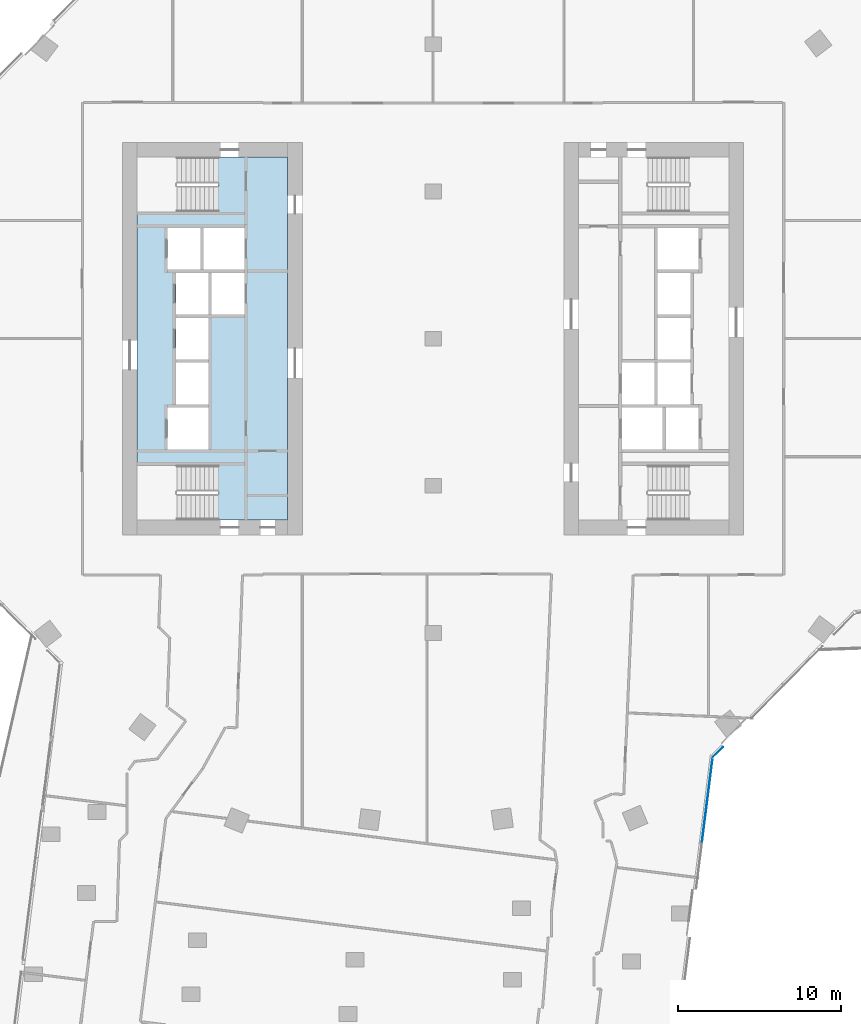
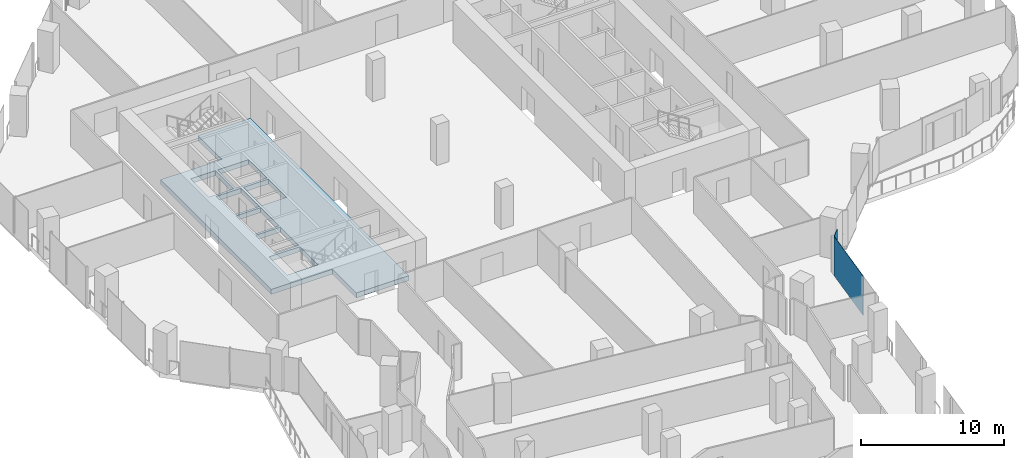
# One storey, part 15 of 29: 2 plates, 1 slab, 2 elements without a shape of their own.
"""IFC4 building model written with IfcOpenShell, lengths in metres."""

from ifc_helpers import new_model, si_unit, direction, frame, origin, origin_2d, place, context, subcontext, project, spatial, polyline, rectangle, outline, extrude, material, layer, layer_set, type_object, element, aggregate, save


model = new_model("IFC4")

# Units and contexts
model_context = context("Model", 3, precision=1e-05, world=origin(), true_north=direction((0.0, 1.0)))
body_context = subcontext(model_context, "Body", "Model", "MODEL_VIEW")
ifc_project = project(units=[si_unit("LENGTHUNIT", "METRE"), si_unit("AREAUNIT", "SQUARE_METRE"), si_unit("VOLUMEUNIT", "CUBIC_METRE"), si_unit("PLANEANGLEUNIT", "RADIAN"), si_unit("MASSUNIT", "GRAM", prefix="KILO")], contexts=[model_context])

# Site, building, storey
site_placement = place(None, origin())
site = spatial("IfcSite", under=ifc_project, at=site_placement, CompositionType="ELEMENT")
building_placement = place(site_placement, origin())
building = spatial("IfcBuilding", under=site, at=building_placement, Name="Orlundy Tower", CompositionType="ELEMENT")
storey_placement = place(building_placement, frame((0.0, 0.0, 188.60009765625)))
storey = spatial("IfcBuildingStorey", under=building, at=storey_placement, Name="L49", CompositionType="ELEMENT", Elevation=188.60009765625)

# Curtain wall, plate
ifc_material_1 = material(Name="Aluminium bronze anodised", Category="aluminium")
curtain_wall_type = type_object("IfcCurtainWallType", Name="CW1 wall", PredefinedType="NOTDEFINED", material=ifc_material_1)
curtain_wall_1_placement = place(storey_placement, origin())
curtain_wall_1 = element("IfcCurtainWall", 1, at=curtain_wall_1_placement, inside=storey, type_object=curtain_wall_type, Name="CW1 run 017", PredefinedType="NOTDEFINED")
ifc_material_2 = material(Name="Tinted glass", Category="glass")
ifc_layer_1 = layer(ifc_material_2, 0.031982421875)
ifc_layer_set_1 = layer_set([ifc_layer_1], Name="CW1 glass panel 32")
plate_type = type_object("IfcPlateType", Name="CW1 glass panel 32", PredefinedType="CURTAIN_PANEL", material=ifc_layer_set_1)
plate_1_placement = place(storey_placement, frame((17.412841796875, -25.2919921875, -0.300048828125), z_axis=(0.0, 0.0, 1.0), x_axis=(-0.702970467781, -0.711219038994, 0.0)))
plate_1 = element("IfcPlate", 2, at=plate_1_placement, type_object=plate_type, Name="CW1 panel", PredefinedType="CURTAIN_PANEL", context=body_context, shape_type="SweptSolid", body=[
    extrude(rectangle(XDim=0.882080078125, YDim=0.031982421875, at=origin_2d()), origin(), (0.0, 0.0, 1.0), 3.3798828125),
])
aggregate(curtain_wall_1, [plate_1])

curtain_wall_2_placement = place(storey_placement, origin())
curtain_wall_2 = element("IfcCurtainWall", 3, at=curtain_wall_2_placement, inside=storey, type_object=curtain_wall_type, Name="CW1 run 018", PredefinedType="NOTDEFINED")
plate_2_placement = place(storey_placement, frame((16.773681640625, -28.22314453125, -0.300048828125), z_axis=(0.0, 0.0, 1.0), x_axis=(-0.124742379758, -0.992189164773, 0.0)))
plate_2 = element("IfcPlate", 4, at=plate_2_placement, type_object=plate_type, Name="CW1 panel", PredefinedType="CURTAIN_PANEL", context=body_context, shape_type="SweptSolid", body=[
    extrude(rectangle(XDim=5.27587890625, YDim=0.031982421875, at=origin_2d()), origin(), (0.0, 0.0, 1.0), 3.3798828125),
])
aggregate(curtain_wall_2, [plate_2])

# Slab
ifc_material_3 = material(Name="Concrete C50/60", Category="concrete")
ifc_layer_2 = layer(ifc_material_3, 0.419921875)
ifc_layer_set_2 = layer_set([ifc_layer_2], Name="Core Floor Slab 420")
slab_type = type_object("IfcSlabType", Name="Core Floor Slab 420", PredefinedType="FLOOR", material=ifc_layer_set_2)
slab_placement = place(storey_placement, frame((0.0, 0.0, -0.420166015625)))
element("IfcSlab", 5, at=slab_placement, inside=storey, type_object=slab_type, Name="Core floor W38", PredefinedType="FLOOR", context=body_context, shape_type="SweptSolid", body=[
    extrude(outline(polyline([(-13.14501953125, -11.10009765625), (-13.14501953125, -7.75), (-18.10009765625, -7.75), (-18.10009765625, 7.75), (-13.14501953125, 7.75), (-13.14501953125, 11.10009765625), (-8.89990234375, 11.10009765625), (-8.89990234375, -11.10009765625), (-13.14501953125, -11.10009765625)]), holes=[polyline([(-13.739990234375, -4.22509765625), (-16.239990234375, -4.22509765625), (-16.239990234375, -6.77490234375), (-13.739990234375, -6.77490234375), (-13.739990234375, -4.22509765625)]), polyline([(-13.739990234375, -4.02490234375), (-13.739990234375, -1.47509765625), (-15.739990234375, -1.47509765625), (-15.739990234375, -4.02490234375), (-13.739990234375, -4.02490234375)]), polyline([(-15.739990234375, -1.27490234375), (-13.739990234375, -1.27490234375), (-13.739990234375, 1.27490234375), (-15.739990234375, 1.27490234375), (-15.739990234375, -1.27490234375)]), polyline([(-13.5400390625, 4.02490234375), (-13.5400390625, 1.47509765625), (-11.5400390625, 1.47509765625), (-11.5400390625, 4.02490234375), (-13.5400390625, 4.02490234375)]), polyline([(-13.739990234375, 4.02490234375), (-15.739990234375, 4.02490234375), (-15.739990234375, 1.47509765625), (-13.739990234375, 1.47509765625), (-13.739990234375, 4.02490234375)]), polyline([(-11.5400390625, 4.22509765625), (-11.5400390625, 6.77490234375), (-14.0400390625, 6.77490234375), (-14.0400390625, 4.22509765625), (-11.5400390625, 4.22509765625)]), polyline([(-16.239990234375, 4.22509765625), (-14.239990234375, 4.22509765625), (-14.239990234375, 6.77490234375), (-16.239990234375, 6.77490234375), (-16.239990234375, 4.22509765625)])]), origin(), (0.0, 0.0, 1.0), 0.420166015625),
])

save(model, "model.ifc")
